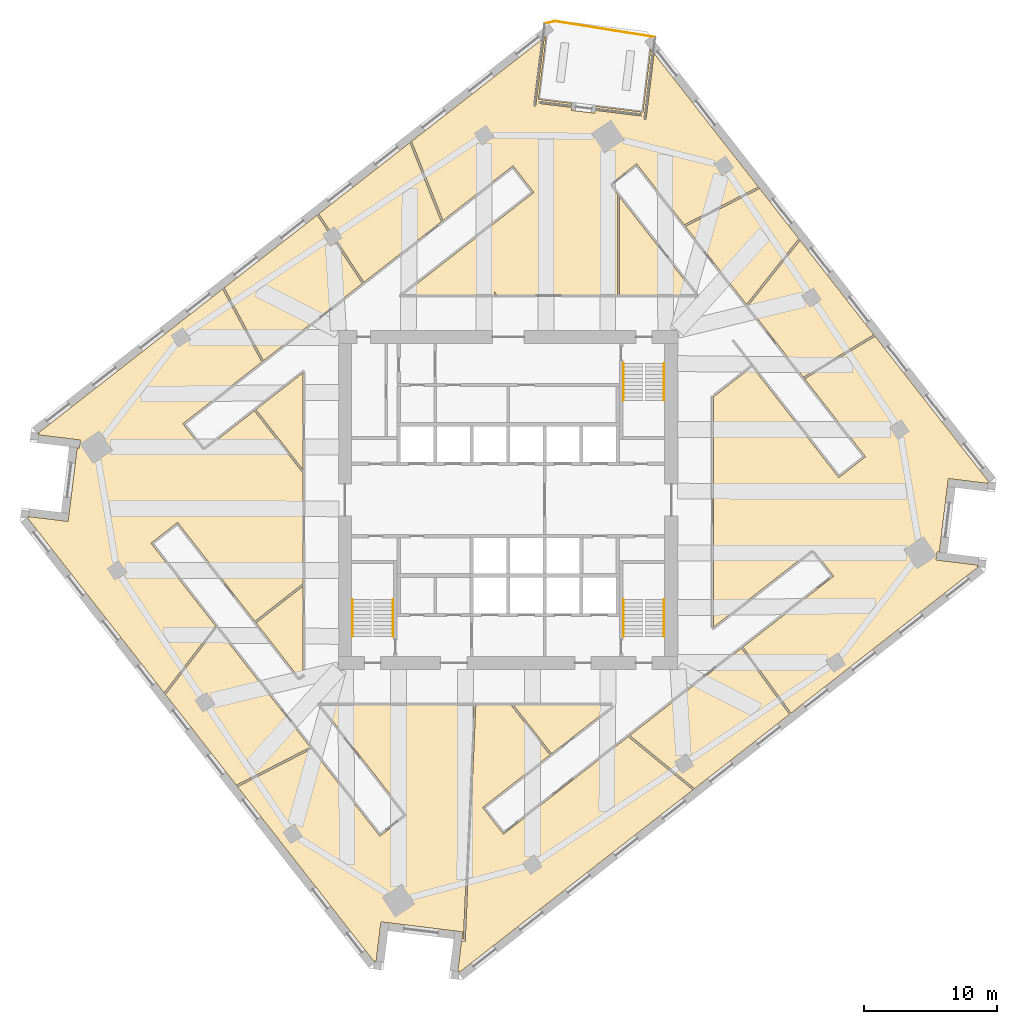
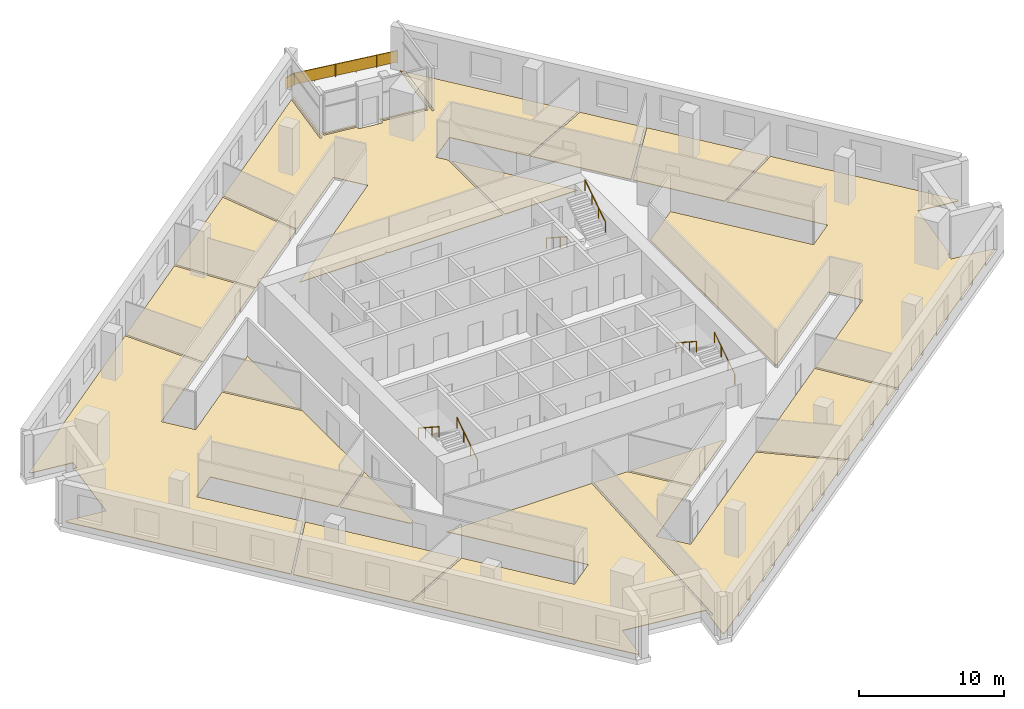
# One storey, part 10 of 11: 15 coverings, 7 railings.
"""IFC4 building model written with IfcOpenShell, lengths in metres."""

from ifc_helpers import new_model, si_unit, direction, frame, origin, origin_2d, place, context, subcontext, project, spatial, polyline, rectangle, circle, outline, extrude, material, layer, layer_set, type_object, element, save


model = new_model("IFC4")

# Units and contexts
model_context = context("Model", 3, precision=1e-05, world=origin(), true_north=direction((0.0, 1.0)))
body_context = subcontext(model_context, "Body", "Model", "MODEL_VIEW")
ifc_project = project(units=[si_unit("LENGTHUNIT", "METRE"), si_unit("AREAUNIT", "SQUARE_METRE"), si_unit("VOLUMEUNIT", "CUBIC_METRE"), si_unit("PLANEANGLEUNIT", "RADIAN"), si_unit("MASSUNIT", "GRAM", prefix="KILO")], contexts=[model_context])

# Site, building, storey
site_placement = place(None, origin())
site = spatial("IfcSite", under=ifc_project, at=site_placement, CompositionType="ELEMENT")
building_placement = place(site_placement, origin())
building = spatial("IfcBuilding", under=site, at=building_placement, Name="Dilmun Exchange Tower", CompositionType="ELEMENT")
storey_placement = place(building_placement, frame((0.0, 0.0, 179.699951171875)))
storey = spatial("IfcBuildingStorey", under=building, at=storey_placement, Name="L42", CompositionType="ELEMENT", Elevation=179.699951171875)

# Coverings
ifc_material_1 = material(Name="Carpet floor finish 50")
ifc_layer_1 = layer(ifc_material_1, 0.050048828125)
ifc_layer_set_1 = layer_set([ifc_layer_1], Name="Carpet floor finish 50")
covering_type_1 = type_object("IfcCoveringType", Name="Carpet floor finish 50", PredefinedType="FLOORING", material=ifc_layer_set_1)
covering_1_placement = place(storey_placement, origin())
element("IfcCovering", 1, at=covering_1_placement, inside=storey, type_object=covering_type_1, Name="Carpet floor finish 50 Open office 1", PredefinedType="FLOORING", context=body_context, shape_type="SweptSolid", body=[
    extrude(outline(polyline([(-18.573486328125, 10.406982421875), (-24.53857421875, 5.74658203125), (-22.96875, 3.7373046875), (-19.142578125, 6.726318359375), (-15.47509765625, 2.031982421875), (-15.47509765625, -6.310791015625), (-19.1044921875, -9.146484375), (-24.930908203125, -1.689453125), (-26.940185546875, -3.25927734375), (-22.068359375, -9.4951171875), (-25.942626953125, -14.54541015625), (-36.251220703125, -1.35107421875), (-36.1806640625, -1.359619140625), (-36.180419921875, -1.359619140625), (-36.180419921875, -1.359619140625), (-36.18017578125, -1.359619140625), (-36.179931640625, -1.359619140625), (-36.1796875, -1.359619140625), (-36.179443359375, -1.359375), (-36.179443359375, -1.359375), (-36.17919921875, -1.359130859375), (-36.17919921875, -1.359130859375), (-36.178955078125, -1.35888671875), (-36.1787109375, -1.35888671875), (-36.1787109375, -1.358642578125), (-36.1787109375, -1.3583984375), (-36.178466796875, -1.3583984375), (-36.178466796875, -1.358154296875), (-36.178466796875, -1.35791015625), (-36.1650390625, -1.24951171875), (-33.189453125, -1.61474609375), (-33.189208984375, -1.614990234375), (-33.189208984375, -1.614990234375), (-33.18896484375, -1.61474609375), (-33.188720703125, -1.61474609375), (-33.1884765625, -1.61474609375), (-33.1884765625, -1.614501953125), (-33.188232421875, -1.614501953125), (-33.18798828125, -1.614501953125), (-33.18798828125, -1.6142578125), (-33.187744140625, -1.6142578125), (-33.1875, -1.614013671875), (-33.1875, -1.61376953125), (-33.1875, -1.61376953125), (-33.1875, -1.613525390625), (-33.187255859375, -1.61328125), (-33.187255859375, -1.613037109375), (-33.1142578125, -1.017578125), (-32.5048828125, 3.943115234375), (-32.339599609375, 3.9228515625), (-32.339599609375, 3.9228515625), (-32.33935546875, 3.9228515625), (-32.339111328125, 3.9228515625), (-32.3388671875, 3.9228515625), (-32.338623046875, 3.923095703125), (-32.338623046875, 3.923095703125), (-32.33837890625, 3.923095703125), (-32.338134765625, 3.92333984375), (-32.338134765625, 3.92333984375), (-32.337890625, 3.923583984375), (-32.337890625, 3.923583984375), (-32.337646484375, 3.923828125), (-32.337646484375, 3.924072265625), (-32.337646484375, 3.92431640625), (-32.33740234375, 3.92431640625), (-32.33740234375, 3.924560546875), (-32.264404296875, 4.52001953125), (-32.264404296875, 4.520263671875), (-32.264404296875, 4.5205078125), (-32.264404296875, 4.520751953125), (-32.264404296875, 4.52099609375), (-32.264404296875, 4.52099609375), (-32.264404296875, 4.521240234375), (-32.2646484375, 4.521484375), (-32.264892578125, 4.521484375), (-32.264892578125, 4.521728515625), (-32.264892578125, 4.52197265625), (-32.26513671875, 4.52197265625), (-32.265380859375, 4.522216796875), (-32.265380859375, 4.522216796875), (-32.265625, 4.522216796875), (-32.265869140625, 4.522216796875), (-32.26611328125, 4.522216796875), (-35.4091796875, 4.908203125), (-35.395751953125, 5.0166015625), (-35.395751953125, 5.016845703125), (-35.395751953125, 5.01708984375), (-35.395751953125, 5.017333984375), (-35.395751953125, 5.017578125), (-35.39599609375, 5.017578125), (-35.39599609375, 5.017822265625), (-35.39599609375, 5.01806640625), (-35.396240234375, 5.018310546875), (-35.396240234375, 5.018310546875), (-35.396484375, 5.0185546875), (-35.396484375, 5.0185546875), (-35.396728515625, 5.018798828125), (-35.39697265625, 5.018798828125), (-35.397216796875, 5.018798828125), (-35.397216796875, 5.018798828125), (-35.3974609375, 5.018798828125), (-35.4677734375, 5.027587890625), (-21.5380859375, 15.91064453125), (-18.573486328125, 10.406982421875)])), origin(), (0.0, 0.0, 1.0), 0.050048828125),
])
covering_2_placement = place(storey_placement, origin())
element("IfcCovering", 2, at=covering_2_placement, inside=storey, type_object=covering_type_1, Name="Carpet floor finish 50 Break-out lounge 1", PredefinedType="FLOORING", context=body_context, shape_type="SweptSolid", body=[
    extrude(outline(polyline([(-14.919677734375, -18.645263671875), (-20.5078125, -21.50146484375), (-25.84716796875, -14.667236328125), (-21.972900390625, -9.6171875), (-14.919677734375, -18.645263671875)])), origin(), (0.0, 0.0, 1.0), 0.050048828125),
])
covering_3_placement = place(storey_placement, origin())
element("IfcCovering", 3, at=covering_3_placement, inside=storey, type_object=covering_type_1, Name="Carpet floor finish 50 Analyst office 1", PredefinedType="FLOORING", context=body_context, shape_type="SweptSolid", body=[
    extrude(outline(polyline([(-14.825439453125, -18.765380859375), (-9.679931640625, -25.3515625), (-7.67041015625, -23.781494140625), (-14.159423828125, -15.47607421875), (-2.59375, -15.47509765625), (-3.383544921875, -33.104736328125), (-3.502197265625, -33.090087890625), (-3.4384765625, -32.569091796875), (-3.438232421875, -32.56884765625), (-3.438232421875, -32.568603515625), (-3.4384765625, -32.568359375), (-3.4384765625, -32.568115234375), (-3.4384765625, -32.568115234375), (-3.438720703125, -32.56787109375), (-3.438720703125, -32.567626953125), (-3.438720703125, -32.5673828125), (-3.43896484375, -32.5673828125), (-3.43896484375, -32.567138671875), (-3.439208984375, -32.567138671875), (-3.439453125, -32.56689453125), (-3.439453125, -32.56689453125), (-3.439697265625, -32.56689453125), (-3.43994140625, -32.56689453125), (-3.440185546875, -32.56689453125), (-4.03564453125, -32.49365234375), (-4.03564453125, -32.49365234375), (-8.997802734375, -31.884521484375), (-8.998046875, -31.884521484375), (-8.998291015625, -31.88427734375), (-8.998291015625, -31.88427734375), (-9.593994140625, -31.811279296875), (-9.593994140625, -31.81103515625), (-9.59423828125, -31.81103515625), (-9.594482421875, -31.811279296875), (-9.5947265625, -31.811279296875), (-9.594970703125, -31.811279296875), (-9.59521484375, -31.811279296875), (-9.59521484375, -31.8115234375), (-9.595458984375, -31.8115234375), (-9.595458984375, -31.811767578125), (-9.595703125, -31.811767578125), (-9.595703125, -31.81201171875), (-9.595947265625, -31.812255859375), (-9.595947265625, -31.812255859375), (-9.59619140625, -31.8125), (-9.59619140625, -31.812744140625), (-9.59619140625, -31.81298828125), (-9.96142578125, -34.78857421875), (-10.070068359375, -34.775390625), (-10.0703125, -34.775146484375), (-10.0703125, -34.775146484375), (-10.070556640625, -34.775390625), (-10.07080078125, -34.775390625), (-10.071044921875, -34.775390625), (-10.071044921875, -34.775390625), (-10.0712890625, -34.775390625), (-10.071533203125, -34.775634765625), (-10.071533203125, -34.77587890625), (-10.07177734375, -34.77587890625), (-10.072021484375, -34.776123046875), (-10.072021484375, -34.7763671875), (-10.072021484375, -34.7763671875), (-10.072021484375, -34.776611328125), (-10.072265625, -34.77685546875), (-10.072265625, -34.777099609375), (-10.080810546875, -34.847412109375), (-20.413818359375, -21.621826171875), (-14.825439453125, -18.765380859375)])), origin(), (0.0, 0.0, 1.0), 0.050048828125),
])
covering_4_placement = place(storey_placement, origin())
element("IfcCovering", 4, at=covering_4_placement, inside=storey, type_object=covering_type_1, Name="Carpet floor finish 50 Break-out lounge 2", PredefinedType="FLOORING", context=body_context, shape_type="SweptSolid", body=[
    extrude(outline(polyline([(-14.28466796875, 21.57763671875), (-7.412353515625, 26.947021484375), (-5.040283203125, 20.98046875), (-10.8798828125, 16.41796875), (-14.28466796875, 21.57763671875)])), origin(), (0.0, 0.0, 1.0), 0.050048828125),
])
covering_5_placement = place(storey_placement, origin())
element("IfcCovering", 5, at=covering_5_placement, inside=storey, type_object=covering_type_1, Name="Carpet floor finish 50 Analyst office 2", PredefinedType="FLOORING", context=body_context, shape_type="SweptSolid", body=[
    extrude(outline(polyline([(-3.24072265625, -33.273193359375), (-2.443603515625, -15.47509765625), (0.217041015625, -15.47509765625), (3.146240234375, -19.22412109375), (-1.930419921875, -23.190673828125), (-0.360595703125, -25.19970703125), (9.048583984375, -17.848876953125), (13.927490234375, -21.856689453125), (-3.7021484375, -35.630615234375), (-3.693603515625, -35.560302734375), (-3.693603515625, -35.56005859375), (-3.693603515625, -35.559814453125), (-3.693603515625, -35.5595703125), (-3.693603515625, -35.559326171875), (-3.693603515625, -35.55908203125), (-3.69384765625, -35.55908203125), (-3.69384765625, -35.558837890625), (-3.694091796875, -35.55859375), (-3.694091796875, -35.55859375), (-3.694091796875, -35.558349609375), (-3.6943359375, -35.558349609375), (-3.694580078125, -35.55810546875), (-3.694580078125, -35.55810546875), (-3.69482421875, -35.55810546875), (-3.695068359375, -35.55810546875), (-3.6953125, -35.55810546875), (-3.8037109375, -35.544677734375), (-3.5205078125, -33.239013671875), (-3.24072265625, -33.273193359375)])), origin(), (0.0, 0.0, 1.0), 0.050048828125),
])
covering_6_placement = place(storey_placement, origin())
element("IfcCovering", 6, at=covering_6_placement, inside=storey, type_object=covering_type_1, Name="Carpet floor finish 50 Meeting room 1", PredefinedType="FLOORING", context=body_context, shape_type="SweptSolid", body=[
    extrude(outline(polyline([(7.840576171875, -15.556640625), (3.264404296875, -19.1318359375), (0.407470703125, -15.47509765625), (7.77685546875, -15.47509765625), (7.840576171875, -15.556640625)])), origin(), (0.0, 0.0, 1.0), 0.050048828125),
])
covering_7_placement = place(storey_placement, origin())
element("IfcCovering", 7, at=covering_7_placement, inside=storey, type_object=covering_type_1, Name="Carpet floor finish 50 Garden lounge", PredefinedType="FLOORING", context=body_context, shape_type="SweptSolid", body=[
    extrude(outline(polyline([(1.930419921875, 23.1904296875), (0.360595703125, 25.199951171875), (-4.9169921875, 21.07666015625), (-7.289306640625, 27.043212890625), (2.523193359375, 34.709716796875), (1.912353515625, 29.73388671875), (1.912353515625, 29.733642578125), (1.912353515625, 29.7333984375), (1.912353515625, 29.7333984375), (1.91259765625, 29.733154296875), (1.91259765625, 29.73291015625), (1.91259765625, 29.732666015625), (1.91259765625, 29.732666015625), (1.912841796875, 29.732421875), (1.912841796875, 29.732421875), (1.9130859375, 29.732177734375), (1.9130859375, 29.73193359375), (1.913330078125, 29.73193359375), (1.91357421875, 29.731689453125), (1.913818359375, 29.731689453125), (1.9140625, 29.731689453125), (1.914306640625, 29.731689453125), (2.072998046875, 29.712158203125), (2.0732421875, 29.712158203125), (2.073486328125, 29.712158203125), (2.073486328125, 29.712158203125), (2.07373046875, 29.712158203125), (2.073974609375, 29.71240234375), (2.07421875, 29.71240234375), (2.07421875, 29.71240234375), (2.074462890625, 29.712646484375), (2.07470703125, 29.712646484375), (2.07470703125, 29.712890625), (2.07470703125, 29.712890625), (2.074951171875, 29.713134765625), (2.074951171875, 29.71337890625), (2.0751953125, 29.71337890625), (2.0751953125, 29.713623046875), (2.0751953125, 29.7138671875), (2.7060546875, 34.852294921875), (2.865478515625, 34.976806640625), (2.281005859375, 30.217529296875), (4.823974609375, 29.9052734375), (4.806640625, 29.76318359375), (2.338134765625, 30.06640625), (2.337890625, 30.06640625), (2.337646484375, 30.06640625), (2.33740234375, 30.06640625), (2.33740234375, 30.06640625), (2.337158203125, 30.06640625), (2.3369140625, 30.06640625), (2.3369140625, 30.066162109375), (2.336669921875, 30.066162109375), (2.33642578125, 30.06591796875), (2.336181640625, 30.06591796875), (2.336181640625, 30.065673828125), (2.336181640625, 30.0654296875), (2.3359375, 30.065185546875), (2.3359375, 30.065185546875), (2.3359375, 30.06494140625), (2.3359375, 30.064697265625), (2.31640625, 29.906005859375), (2.31640625, 29.90576171875), (2.31640625, 29.905517578125), (2.31640625, 29.905517578125), (2.31640625, 29.9052734375), (2.31640625, 29.905029296875), (2.316650390625, 29.90478515625), (2.316650390625, 29.904541015625), (2.31689453125, 29.904541015625), (2.31689453125, 29.904296875), (2.31689453125, 29.904296875), (2.317138671875, 29.904052734375), (2.3173828125, 29.904052734375), (2.3173828125, 29.90380859375), (2.317626953125, 29.90380859375), (2.31787109375, 29.90380859375), (2.318115234375, 29.90380859375), (4.78662109375, 29.6005859375), (4.760009765625, 29.38427734375), (4.760009765625, 29.384033203125), (4.760009765625, 29.3837890625), (4.760009765625, 29.383544921875), (4.760009765625, 29.38330078125), (4.76025390625, 29.38330078125), (4.76025390625, 29.383056640625), (4.760498046875, 29.3828125), (4.760498046875, 29.3828125), (4.760498046875, 29.382568359375), (4.7607421875, 29.38232421875), (4.760986328125, 29.38232421875), (4.760986328125, 29.382080078125), (4.76123046875, 29.382080078125), (4.761474609375, 29.382080078125), (4.76171875, 29.382080078125), (4.76171875, 29.3818359375), (6.54833984375, 29.16259765625), (6.548583984375, 29.16259765625), (6.548828125, 29.16259765625), (6.549072265625, 29.16259765625), (6.54931640625, 29.16259765625), (6.54931640625, 29.162841796875), (6.549560546875, 29.162841796875), (6.5498046875, 29.162841796875), (6.5498046875, 29.1630859375), (6.550048828125, 29.1630859375), (6.55029296875, 29.163330078125), (6.55029296875, 29.16357421875), (6.55029296875, 29.163818359375), (6.550537109375, 29.163818359375), (6.550537109375, 29.1640625), (6.550537109375, 29.164306640625), (6.550537109375, 29.164306640625), (6.5771484375, 29.380859375), (10.038330078125, 28.955810546875), (10.03857421875, 28.955810546875), (10.038818359375, 28.955810546875), (10.038818359375, 28.955810546875), (10.0390625, 28.955810546875), (10.039306640625, 28.955810546875), (10.039306640625, 28.955810546875), (10.03955078125, 28.9560546875), (10.039794921875, 28.9560546875), (10.039794921875, 28.956298828125), (10.0400390625, 28.956298828125), (10.040283203125, 28.95654296875), (10.040283203125, 28.956787109375), (10.040283203125, 28.956787109375), (10.040283203125, 28.95703125), (10.04052734375, 28.957275390625), (10.04052734375, 28.95751953125), (10.06005859375, 29.1162109375), (10.06005859375, 29.116455078125), (10.06005859375, 29.11669921875), (10.06005859375, 29.11669921875), (10.06005859375, 29.116943359375), (10.059814453125, 29.1171875), (10.059814453125, 29.117431640625), (10.059814453125, 29.11767578125), (10.0595703125, 29.11767578125), (10.0595703125, 29.117919921875), (10.059326171875, 29.117919921875), (10.05908203125, 29.1181640625), (10.05908203125, 29.1181640625), (10.058837890625, 29.118408203125), (10.05859375, 29.118408203125), (10.05859375, 29.118408203125), (10.058349609375, 29.118408203125), (6.59716796875, 29.54345703125), (6.614501953125, 29.685302734375), (10.150146484375, 29.251220703125), (10.734619140625, 34.0107421875), (10.859130859375, 33.851318359375), (10.22802734375, 28.712890625), (10.22802734375, 28.712646484375), (10.22802734375, 28.71240234375), (10.22802734375, 28.712158203125), (10.228271484375, 28.7119140625), (10.228271484375, 28.7119140625), (10.228271484375, 28.711669921875), (10.228515625, 28.71142578125), (10.228515625, 28.711181640625), (10.228515625, 28.711181640625), (10.228759765625, 28.7109375), (10.22900390625, 28.7109375), (10.22900390625, 28.710693359375), (10.229248046875, 28.710693359375), (10.2294921875, 28.710693359375), (10.229736328125, 28.710693359375), (10.22998046875, 28.710693359375), (10.388671875, 28.691162109375), (10.388916015625, 28.691162109375), (10.38916015625, 28.691162109375), (10.38916015625, 28.691162109375), (10.389404296875, 28.691162109375), (10.3896484375, 28.691162109375), (10.389892578125, 28.69140625), (10.389892578125, 28.69140625), (10.39013671875, 28.69140625), (10.390380859375, 28.691650390625), (10.390380859375, 28.691650390625), (10.390380859375, 28.69189453125), (10.390625, 28.692138671875), (10.390625, 28.692138671875), (10.390869140625, 28.6923828125), (10.390869140625, 28.692626953125), (10.390869140625, 28.69287109375), (11.001953125, 33.66845703125), (18.8623046875, 23.607666015625), (13.2734375, 20.751953125), (9.679931640625, 25.3515625), (7.67041015625, 23.781494140625), (8.23291015625, 23.06201171875), (8.23291015625, 15.47509765625), (-0.853759765625, 15.47509765625), (-1.02685546875, 15.696533203125), (-1.02685546875, 15.47509765625), (-7.945068359375, 15.47509765625), (1.930419921875, 23.1904296875)])), origin(), (0.0, 0.0, 1.0), 0.050048828125),
])
covering_8_placement = place(storey_placement, origin())
element("IfcCovering", 8, at=covering_8_placement, inside=storey, type_object=covering_type_1, Name="Carpet floor finish 50 Break-out lounge 3", PredefinedType="FLOORING", context=body_context, shape_type="SweptSolid", body=[
    extrude(outline(polyline([(17.5830078125, -11.18115234375), (21.212158203125, -16.165283203125), (14.048583984375, -21.76220703125), (9.169677734375, -17.754150390625), (17.5830078125, -11.18115234375)])), origin(), (0.0, 0.0, 1.0), 0.050048828125),
])
covering_9_placement = place(storey_placement, origin())
element("IfcCovering", 9, at=covering_9_placement, inside=storey, type_object=covering_type_1, Name="Carpet floor finish 50 Meeting room 2", PredefinedType="FLOORING", context=body_context, shape_type="SweptSolid", body=[
    extrude(outline(polyline([(13.36767578125, 20.631591796875), (18.956298828125, 23.4873046875), (21.9130859375, 19.702880859375), (17.97021484375, 14.740478515625), (13.36767578125, 20.631591796875)])), origin(), (0.0, 0.0, 1.0), 0.050048828125),
])
covering_10_placement = place(storey_placement, origin())
element("IfcCovering", 10, at=covering_10_placement, inside=storey, type_object=covering_type_1, Name="Carpet floor finish 50 Meeting room 3", PredefinedType="FLOORING", context=body_context, shape_type="SweptSolid", body=[
    extrude(outline(polyline([(18.065185546875, 14.618896484375), (22.0078125, 19.581298828125), (27.569580078125, 12.462646484375), (22.25341796875, 9.25830078125), (18.065185546875, 14.618896484375)])), origin(), (0.0, 0.0, 1.0), 0.050048828125),
])
covering_11_placement = place(storey_placement, origin())
element("IfcCovering", 11, at=covering_11_placement, inside=storey, type_object=covering_type_1, Name="Carpet floor finish 50 Open office 2", PredefinedType="FLOORING", context=body_context, shape_type="SweptSolid", body=[
    extrude(outline(polyline([(17.701171875, -11.088623046875), (24.53857421875, -5.74658203125), (22.96875, -3.7373046875), (15.47509765625, -9.591796875), (15.47509765625, 7.77685546875), (18.393310546875, 10.056884765625), (24.930908203125, 1.689453125), (26.940185546875, 3.25927734375), (22.346435546875, 9.13916015625), (27.66259765625, 12.343505859375), (36.251220703125, 1.35107421875), (36.1806640625, 1.359619140625), (36.180419921875, 1.359619140625), (36.180419921875, 1.359619140625), (36.18017578125, 1.359619140625), (36.179931640625, 1.359619140625), (36.1796875, 1.359619140625), (36.179443359375, 1.359375), (36.179443359375, 1.359375), (36.17919921875, 1.359130859375), (36.17919921875, 1.359130859375), (36.178955078125, 1.35888671875), (36.1787109375, 1.35888671875), (36.1787109375, 1.358642578125), (36.1787109375, 1.3583984375), (36.178466796875, 1.3583984375), (36.178466796875, 1.358154296875), (36.178466796875, 1.35791015625), (36.1650390625, 1.24951171875), (33.189453125, 1.61474609375), (33.189208984375, 1.614990234375), (33.189208984375, 1.614990234375), (33.18896484375, 1.61474609375), (33.188720703125, 1.61474609375), (33.1884765625, 1.61474609375), (33.1884765625, 1.614501953125), (33.188232421875, 1.614501953125), (33.18798828125, 1.614501953125), (33.18798828125, 1.6142578125), (33.187744140625, 1.6142578125), (33.1875, 1.614013671875), (33.1875, 1.61376953125), (33.1875, 1.61376953125), (33.1875, 1.613525390625), (33.187255859375, 1.61328125), (33.187255859375, 1.613037109375), (33.1142578125, 1.017578125), (33.1142578125, 1.017578125), (32.5048828125, -3.943115234375), (32.339599609375, -3.9228515625), (32.339599609375, -3.9228515625), (32.33935546875, -3.9228515625), (32.339111328125, -3.9228515625), (32.3388671875, -3.9228515625), (32.338623046875, -3.923095703125), (32.338623046875, -3.923095703125), (32.33837890625, -3.923095703125), (32.338134765625, -3.92333984375), (32.338134765625, -3.92333984375), (32.337890625, -3.923583984375), (32.337890625, -3.923583984375), (32.337646484375, -3.923828125), (32.337646484375, -3.924072265625), (32.337646484375, -3.92431640625), (32.33740234375, -3.92431640625), (32.33740234375, -3.924560546875), (32.264404296875, -4.52001953125), (32.264404296875, -4.520263671875), (32.264404296875, -4.5205078125), (32.264404296875, -4.520751953125), (32.264404296875, -4.52099609375), (32.264404296875, -4.52099609375), (32.264404296875, -4.521240234375), (32.2646484375, -4.521484375), (32.264892578125, -4.521484375), (32.264892578125, -4.521728515625), (32.264892578125, -4.52197265625), (32.26513671875, -4.52197265625), (32.265380859375, -4.522216796875), (32.265380859375, -4.522216796875), (32.265625, -4.522216796875), (32.265869140625, -4.522216796875), (32.26611328125, -4.522216796875), (35.4091796875, -4.908203125), (35.395751953125, -5.0166015625), (35.395751953125, -5.016845703125), (35.395751953125, -5.01708984375), (35.395751953125, -5.017333984375), (35.395751953125, -5.017578125), (35.39599609375, -5.017578125), (35.39599609375, -5.017822265625), (35.39599609375, -5.01806640625), (35.396240234375, -5.018310546875), (35.396240234375, -5.018310546875), (35.396484375, -5.0185546875), (35.396484375, -5.0185546875), (35.396728515625, -5.018798828125), (35.39697265625, -5.018798828125), (35.397216796875, -5.018798828125), (35.397216796875, -5.018798828125), (35.3974609375, -5.018798828125), (35.4677734375, -5.027587890625), (21.33056640625, -16.072998046875), (17.701171875, -11.088623046875)])), origin(), (0.0, 0.0, 1.0), 0.050048828125),
])

# Railings
ifc_material_2 = material(Name="Stainless steel", Category="steel")
railing_type_1 = type_object("IfcRailingType", Name="Stair handrail 900", PredefinedType="HANDRAIL", material=ifc_material_2)
railing_1_placement = place(storey_placement, frame((8.699951171875, 10.300048828125, 0.181884765625)))
element("IfcRailing", 12, at=railing_1_placement, inside=storey, type_object=railing_type_1, Name="L42 ST1 stair handrail 1", PredefinedType="HANDRAIL", context=body_context, shape_type="SweptSolid", body=[
    extrude(circle(Radius=0.02392578125, at=origin_2d()), frame((0.0, 0.0, 0.8759765625), z_axis=(0.0, -0.838705829183, 0.544584733623), x_axis=(1.0, 0.0, 0.0)), (0.0, 0.0, 1.0), 3.338623046875),
    extrude(circle(Radius=0.02099609375, at=origin_2d()), origin(), (0.0, 0.0, 1.0), 0.851806640625),
    extrude(circle(Radius=0.02099609375, at=origin_2d()), frame((0.0, -0.933349609375, 0.60595703125)), (0.0, 0.0, 1.0), 0.851806640625),
    extrude(circle(Radius=0.02099609375, at=origin_2d()), frame((0.0, -1.86669921875, 1.212158203125)), (0.0, 0.0, 1.0), 0.851806640625),
    extrude(circle(Radius=0.02099609375, at=origin_2d()), frame((0.0, -2.800048828125, 1.818115234375)), (0.0, 0.0, 1.0), 0.851806640625),
])
for number, where, name in (
    (13, (11.75, 7.5, 2.181884765625), "L42 ST1 stair handrail 2"),
    (14, (-8.699951171875, -10.300048828125, 0.181884765625), "L42 ST2 stair handrail 1"),
):
    element("IfcRailing", number, at=place(storey_placement, frame(where)), inside=storey, type_object=railing_type_1, Name=name, PredefinedType="HANDRAIL", context=body_context, shape_type="SweptSolid", body=[
        extrude(circle(Radius=0.02392578125, at=origin_2d()), frame((0.0, 0.0, 0.8759765625), z_axis=(0.0, 0.838705829183, 0.544584733623), x_axis=(-1.0, 0.0, 0.0)), (0.0, 0.0, 1.0), 3.338623046875),
        extrude(circle(Radius=0.02099609375, at=origin_2d()), origin(), (0.0, 0.0, 1.0), 0.851806640625),
        extrude(circle(Radius=0.02099609375, at=origin_2d()), frame((0.0, 0.933349609375, 0.60595703125)), (0.0, 0.0, 1.0), 0.851806640625),
        extrude(circle(Radius=0.02099609375, at=origin_2d()), frame((0.0, 1.86669921875, 1.212158203125)), (0.0, 0.0, 1.0), 0.851806640625),
        extrude(circle(Radius=0.02099609375, at=origin_2d()), frame((0.0, 2.800048828125, 1.818115234375)), (0.0, 0.0, 1.0), 0.851806640625),
    ])
railing_2_placement = place(storey_placement, frame((-11.75, -7.5, 2.181884765625)))
element("IfcRailing", 15, at=railing_2_placement, inside=storey, type_object=railing_type_1, Name="L42 ST2 stair handrail 2", PredefinedType="HANDRAIL", context=body_context, shape_type="SweptSolid", body=[
    extrude(circle(Radius=0.02392578125, at=origin_2d()), frame((0.0, 0.0, 0.8759765625), z_axis=(0.0, -0.838705829183, 0.544584733623), x_axis=(1.0, 0.0, 0.0)), (0.0, 0.0, 1.0), 3.338623046875),
    extrude(circle(Radius=0.02099609375, at=origin_2d()), origin(), (0.0, 0.0, 1.0), 0.851806640625),
    extrude(circle(Radius=0.02099609375, at=origin_2d()), frame((0.0, -0.933349609375, 0.60595703125)), (0.0, 0.0, 1.0), 0.851806640625),
    extrude(circle(Radius=0.02099609375, at=origin_2d()), frame((0.0, -1.86669921875, 1.212158203125)), (0.0, 0.0, 1.0), 0.851806640625),
    extrude(circle(Radius=0.02099609375, at=origin_2d()), frame((0.0, -2.800048828125, 1.818115234375)), (0.0, 0.0, 1.0), 0.851806640625),
])
railing_3_placement = place(storey_placement, frame((11.75, -10.300048828125, 0.181884765625)))
element("IfcRailing", 16, at=railing_3_placement, inside=storey, type_object=railing_type_1, Name="L42 ST3 stair handrail 1", PredefinedType="HANDRAIL", context=body_context, shape_type="SweptSolid", body=[
    extrude(circle(Radius=0.02392578125, at=origin_2d()), frame((0.0, 0.0, 0.8759765625), z_axis=(0.0, 0.838705829183, 0.544584733623), x_axis=(-1.0, 0.0, 0.0)), (0.0, 0.0, 1.0), 3.338623046875),
    extrude(circle(Radius=0.02099609375, at=origin_2d()), origin(), (0.0, 0.0, 1.0), 0.851806640625),
    extrude(circle(Radius=0.02099609375, at=origin_2d()), frame((0.0, 0.933349609375, 0.60595703125)), (0.0, 0.0, 1.0), 0.851806640625),
    extrude(circle(Radius=0.02099609375, at=origin_2d()), frame((0.0, 1.86669921875, 1.212158203125)), (0.0, 0.0, 1.0), 0.851806640625),
    extrude(circle(Radius=0.02099609375, at=origin_2d()), frame((0.0, 2.800048828125, 1.818115234375)), (0.0, 0.0, 1.0), 0.851806640625),
])
railing_4_placement = place(storey_placement, frame((8.699951171875, -7.5, 2.181884765625)))
element("IfcRailing", 17, at=railing_4_placement, inside=storey, type_object=railing_type_1, Name="L42 ST3 stair handrail 2", PredefinedType="HANDRAIL", context=body_context, shape_type="SweptSolid", body=[
    extrude(circle(Radius=0.02392578125, at=origin_2d()), frame((0.0, 0.0, 0.8759765625), z_axis=(0.0, -0.838705829183, 0.544584733623), x_axis=(1.0, 0.0, 0.0)), (0.0, 0.0, 1.0), 3.338623046875),
    extrude(circle(Radius=0.02099609375, at=origin_2d()), origin(), (0.0, 0.0, 1.0), 0.851806640625),
    extrude(circle(Radius=0.02099609375, at=origin_2d()), frame((0.0, -0.933349609375, 0.60595703125)), (0.0, 0.0, 1.0), 0.851806640625),
    extrude(circle(Radius=0.02099609375, at=origin_2d()), frame((0.0, -1.86669921875, 1.212158203125)), (0.0, 0.0, 1.0), 0.851806640625),
    extrude(circle(Radius=0.02099609375, at=origin_2d()), frame((0.0, -2.800048828125, 1.818115234375)), (0.0, 0.0, 1.0), 0.851806640625),
])

# Coverings
ifc_material_3 = material(Name="Stone floor finish 50", Category="masonry")
ifc_layer_2 = layer(ifc_material_3, 0.050048828125)
ifc_layer_set_2 = layer_set([ifc_layer_2], Name="Stone floor finish 50")
covering_type_2 = type_object("IfcCoveringType", Name="Stone floor finish 50", PredefinedType="FLOORING", material=ifc_layer_set_2)
covering_12_placement = place(storey_placement, origin())
element("IfcCovering", 18, at=covering_12_placement, inside=storey, type_object=covering_type_2, Name="Stone floor finish 50 Reception 1", PredefinedType="FLOORING", context=body_context, shape_type="SweptSolid", body=[
    extrude(outline(polyline([(-15.47509765625, -13.16796875), (-15.77783203125, -13.404541015625), (-19.01220703125, -9.264892578125), (-15.47509765625, -6.501220703125), (-15.47509765625, -13.16796875)])), origin(), (0.0, 0.0, 1.0), 0.050048828125),
])
covering_13_placement = place(storey_placement, origin())
element("IfcCovering", 19, at=covering_13_placement, inside=storey, type_object=covering_type_2, Name="Stone floor finish 50 Reception 2", PredefinedType="FLOORING", context=body_context, shape_type="SweptSolid", body=[
    extrude(outline(polyline([(-19.0244140625, 6.81884765625), (-15.47509765625, 9.591796875), (-15.47509765625, 2.275634765625), (-19.0244140625, 6.81884765625)])), origin(), (0.0, 0.0, 1.0), 0.050048828125),
])
covering_14_placement = place(storey_placement, origin())
element("IfcCovering", 20, at=covering_14_placement, inside=storey, type_object=covering_type_2, Name="Stone floor finish 50 Reception 3", PredefinedType="FLOORING", context=body_context, shape_type="SweptSolid", body=[
    extrude(outline(polyline([(-18.45361328125, 10.500732421875), (-21.418212890625, 16.00439453125), (-14.4033203125, 21.485107421875), (-10.998291015625, 16.325439453125), (-18.45361328125, 10.500732421875)])), origin(), (0.0, 0.0, 1.0), 0.050048828125),
])

# Railing
railing_type_2 = type_object("IfcRailingType", Name="Terrace guard 1100 stainless steel", PredefinedType="GUARDRAIL", material=ifc_material_2)
railing_5_placement = place(storey_placement, frame((2.7548828125, 35.923828125, 0.0)))
element("IfcRailing", 21, at=railing_5_placement, inside=storey, type_object=railing_type_2, Name="Terrace guard 1", PredefinedType="GUARDRAIL", context=body_context, shape_type="SweptSolid", body=[
    extrude(circle(Radius=0.02392578125, at=origin_2d()), frame((0.0, 0.0, 1.076171875), z_axis=(0.973154588447, 0.230152442926, 0.0), x_axis=(-0.230152442926, 0.973154588447, 0.0)), (0.0, 0.0, 1.0), 0.79443359375),
    extrude(rectangle(XDim=0.011962890625, YDim=0.951904296875, at=origin_2d()), frame((0.0, 0.0, 0.576171875), z_axis=(0.973154588447, 0.230152442926, 0.0), x_axis=(-0.230152442926, 0.973154588447, 0.0)), (0.0, 0.0, 1.0), 0.79443359375),
    extrude(circle(Radius=0.02392578125, at=origin_2d()), frame((0.773193359375, 0.182861328125, 1.076171875), z_axis=(0.987496418185, -0.157641441479, 0.0), x_axis=(0.157641441479, 0.987496418185, 0.0)), (0.0, 0.0, 1.0), 7.63818359375),
    extrude(rectangle(XDim=0.011962890625, YDim=0.951904296875, at=origin_2d()), frame((0.773193359375, 0.182861328125, 0.576171875), z_axis=(0.987496418185, -0.157641441479, 0.0), x_axis=(0.157641441479, 0.987496418185, 0.0)), (0.0, 0.0, 1.0), 7.63818359375),
    extrude(circle(Radius=0.02099609375, at=origin_2d()), origin(), (0.0, 0.0, 1.0), 1.052001953125),
    extrude(circle(Radius=0.02099609375, at=origin_2d()), frame((0.773193359375, 0.182861328125, 0.0)), (0.0, 0.0, 1.0), 1.052001953125),
    extrude(circle(Radius=0.02099609375, at=origin_2d()), frame((2.28173828125, -0.057861328125, 0.0)), (0.0, 0.0, 1.0), 1.052001953125),
    extrude(circle(Radius=0.02099609375, at=origin_2d()), frame((3.790283203125, -0.298828125, 0.0)), (0.0, 0.0, 1.0), 1.052001953125),
    extrude(circle(Radius=0.02099609375, at=origin_2d()), frame((5.298828125, -0.53955078125, 0.0)), (0.0, 0.0, 1.0), 1.052001953125),
    extrude(circle(Radius=0.02099609375, at=origin_2d()), frame((6.807373046875, -0.780517578125, 0.0)), (0.0, 0.0, 1.0), 1.052001953125),
    extrude(circle(Radius=0.02099609375, at=origin_2d()), frame((8.31591796875, -1.021240234375, 0.0)), (0.0, 0.0, 1.0), 1.052001953125),
])

# Covering
ifc_material_4 = material(Name="Tile floor finish 50")
ifc_layer_3 = layer(ifc_material_4, 0.050048828125)
ifc_layer_set_3 = layer_set([ifc_layer_3], Name="Tile floor finish 50")
covering_type_3 = type_object("IfcCoveringType", Name="Tile floor finish 50", PredefinedType="FLOORING", material=ifc_layer_set_3)
covering_15_placement = place(storey_placement, origin())
element("IfcCovering", 22, at=covering_15_placement, inside=storey, type_object=covering_type_3, Name="Tile floor finish 50 Pantry", PredefinedType="FLOORING", context=body_context, shape_type="SweptSolid", body=[
    extrude(outline(polyline([(8.3828125, 22.869873046875), (14.160400390625, 15.47509765625), (8.3828125, 15.47509765625), (8.3828125, 22.869873046875)])), origin(), (0.0, 0.0, 1.0), 0.050048828125),
])

save(model, "model.ifc")
